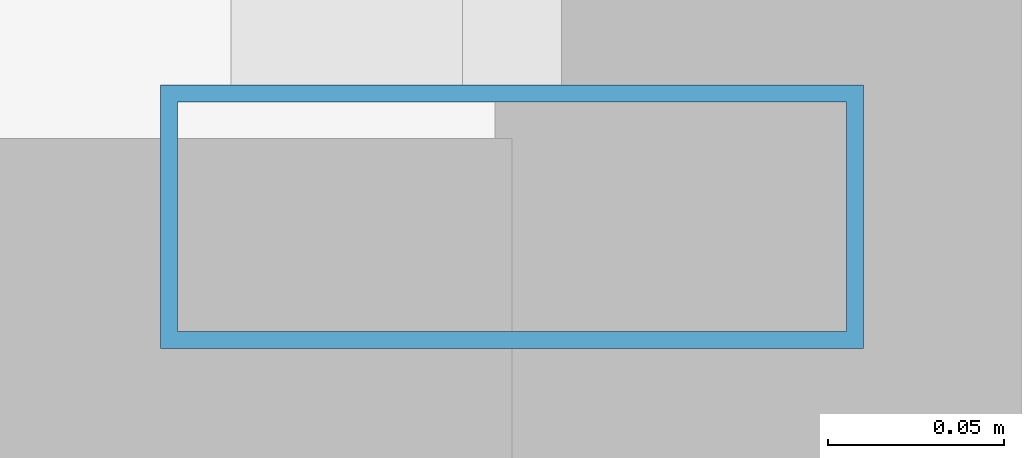
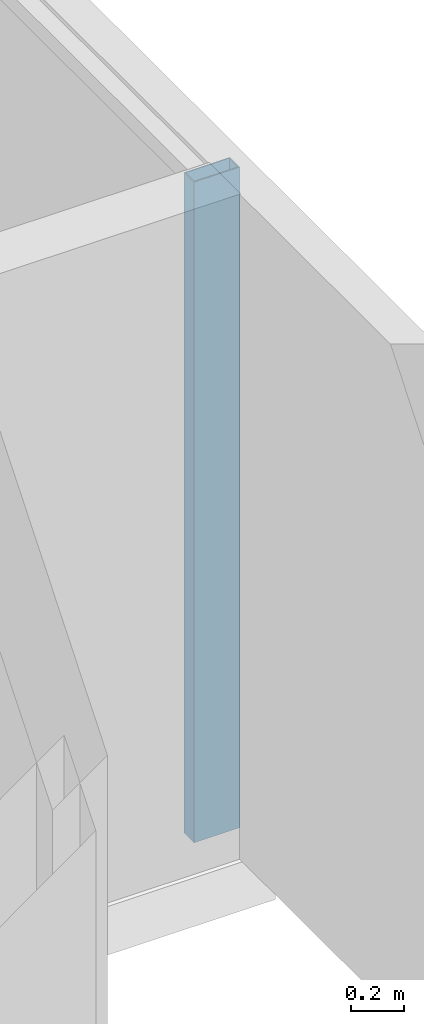
# One storey, part 11 of 31: 1 member, 1 element without a shape of its own.
"""IFC4 building model written with IfcOpenShell, lengths in metres."""

from ifc_helpers import new_model, si_unit, direction, frame, origin, origin_2d, place, context, subcontext, project, spatial, hollow_rectangle, extrude, source, transform, mapped, material, layer, layer_set, material_profile, profile_set, type_object, element, aggregate, save


model = new_model("IFC4")

# Units and contexts
model_context = context("Model", 3, precision=1e-05, world=origin(), true_north=direction((0.0, 1.0)))
body_context = subcontext(model_context, "Body", "Model", "MODEL_VIEW")
ifc_project = project(units=[si_unit("LENGTHUNIT", "METRE"), si_unit("AREAUNIT", "SQUARE_METRE"), si_unit("VOLUMEUNIT", "CUBIC_METRE"), si_unit("PLANEANGLEUNIT", "RADIAN"), si_unit("MASSUNIT", "GRAM", prefix="KILO")], contexts=[model_context])

# Site, building, storey
site_placement = place(None, origin())
site = spatial("IfcSite", under=ifc_project, at=site_placement, CompositionType="ELEMENT")
building_placement = place(site_placement, origin())
building = spatial("IfcBuilding", under=site, at=building_placement, Name="Zarnakvel Exchange Tower", CompositionType="ELEMENT")
storey_placement = place(building_placement, frame((0.0, 0.0, 60.39990234375)))
storey = spatial("IfcBuildingStorey", under=building, at=storey_placement, Name="L16", CompositionType="ELEMENT", Elevation=60.39990234375)

# Curtain wall, member
ifc_material = material(Name="Architectural Bronze Anodised Aluminium", Category="aluminium")
ifc_layer = layer(ifc_material, 0.199951171875)
ifc_layer_set = layer_set([ifc_layer], Name="Architectural Bronze Anodised Aluminium")
curtain_wall_type = type_object("IfcCurtainWallType", Name="CW-04", PredefinedType="NOTDEFINED", material=ifc_layer_set)
curtain_wall_placement = place(storey_placement, origin())
curtain_wall = element("IfcCurtainWall", 1, at=curtain_wall_placement, inside=storey, type_object=curtain_wall_type, Name="L16 Curtain Wall CW-L16-E1 (CW-04)", PredefinedType="NOTDEFINED")
ifc_material_profile = material_profile(ifc_material, hollow_rectangle(XDim=0.199951171875, YDim=0.074951171875, WallThickness=0.0048828125, at=origin_2d()))
ifc_profile_set = profile_set([ifc_material_profile], Name="Architectural Bronze Anodised Aluminium")
member_type = type_object("IfcMemberType", Name="CWM-04", PredefinedType="MULLION", material=ifc_profile_set)
shared_shape = source(origin(), body_context, "Body", "SweptSolid", [
    extrude(hollow_rectangle(XDim=0.199951171875, YDim=0.074951171875, WallThickness=0.0048828125, at=origin_2d()), origin(), (0.0, 0.0, 1.0), 3.05517578125),
])
member_placement = place(storey_placement, frame((32.4599609375, -14.96240234375, 0.0), z_axis=(0.0, 0.0, 1.0), x_axis=(-1.0, 0.0, 0.0)))
member = element("IfcMember", 2, at=member_placement, type_object=member_type, Name="CW-04 mullion 1", PredefinedType="MULLION", context=body_context, shape_type="MappedRepresentation", body=[
    mapped(shared_shape, transform((0.0, 0.0, 0.0), x_axis=(1.0, 0.0, 0.0), y_axis=(0.0, 1.0, 0.0), z_axis=(0.0, 0.0, 1.0), scale=1.0)),
])
aggregate(curtain_wall, [member])

save(model, "model.ifc")
